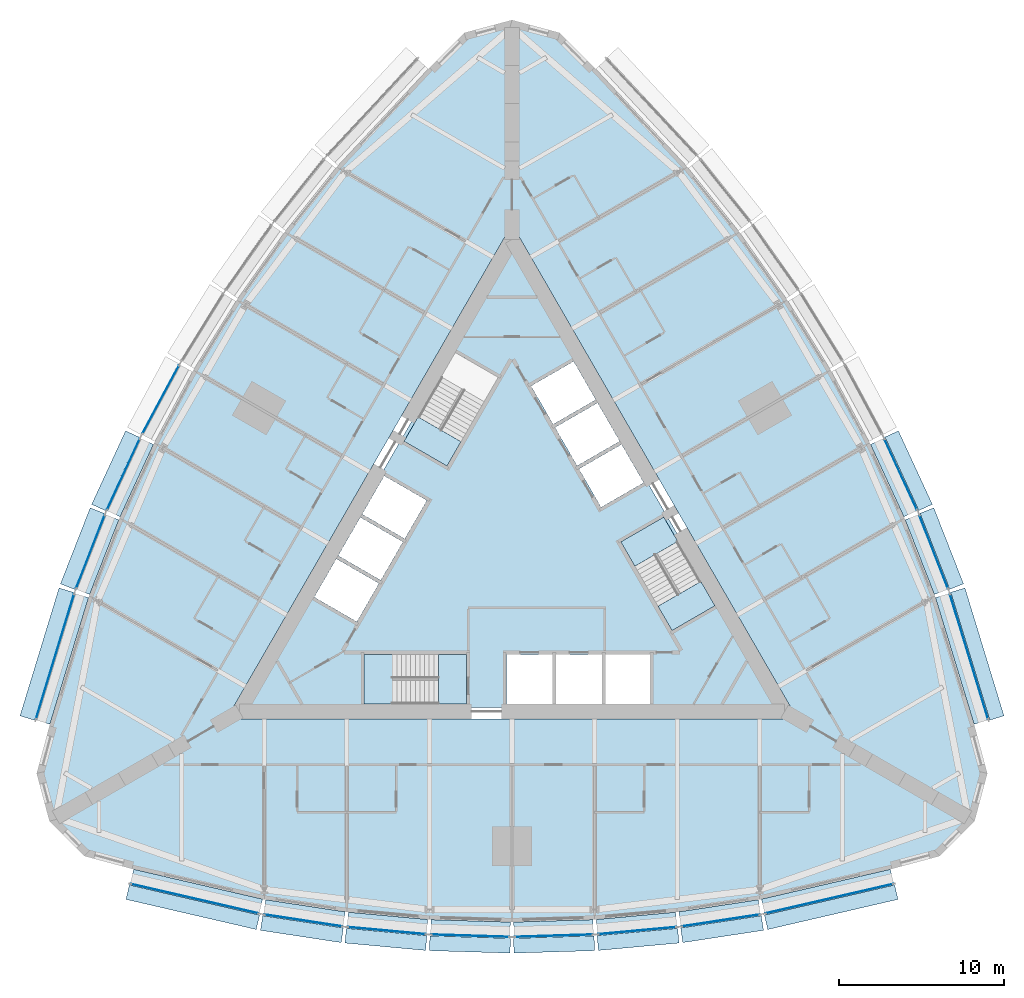
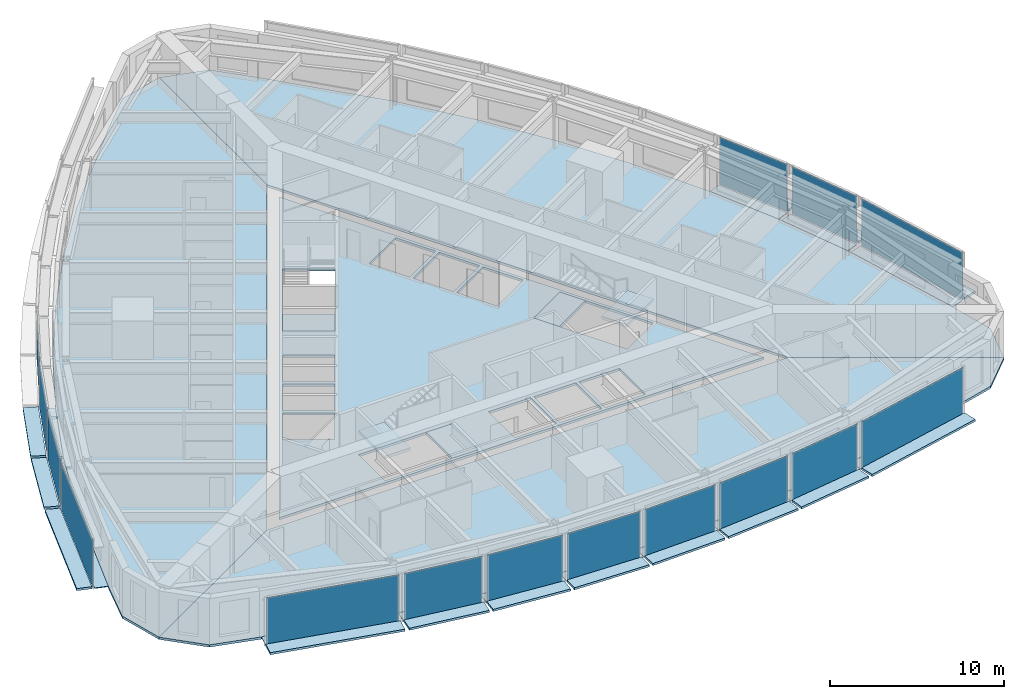
# One storey, part 6 of 14: 43 plates, 9 slabs, 18 elements without a shape of their own.
"""IFC4 building model written with IfcOpenShell, lengths in metres."""

from ifc_helpers import new_model, si_unit, direction, frame, origin, origin_2d, place, context, subcontext, project, spatial, polyline, rectangle, outline, extrude, material, layer, layer_set, type_object, element, aggregate, save


model = new_model("IFC4")

# Units and contexts
model_context = context("Model", 3, precision=1e-05, world=origin(), true_north=direction((0.0, 1.0)))
body_context = subcontext(model_context, "Body", "Model", "MODEL_VIEW")
ifc_project = project(units=[si_unit("LENGTHUNIT", "METRE"), si_unit("AREAUNIT", "SQUARE_METRE"), si_unit("VOLUMEUNIT", "CUBIC_METRE"), si_unit("PLANEANGLEUNIT", "RADIAN"), si_unit("MASSUNIT", "GRAM", prefix="KILO")], contexts=[model_context])

# Site, building, storey
site_placement = place(None, origin())
site = spatial("IfcSite", under=ifc_project, at=site_placement, CompositionType="ELEMENT")
building_placement = place(site_placement, origin())
building = spatial("IfcBuilding", under=site, at=building_placement, Name="Trikona Tower", CompositionType="ELEMENT")
storey_placement = place(building_placement, frame((0.0, 0.0, 48.89990234375)))
storey = spatial("IfcBuildingStorey", under=building, at=storey_placement, Name="L11", CompositionType="ELEMENT", Elevation=48.89990234375)

# Plates
ifc_material_1 = material(Name="Aluminium bar grating", Category="aluminium")
ifc_layer_1 = layer(ifc_material_1, 0.050048828125)
ifc_layer_set_1 = layer_set([ifc_layer_1], Name="Cavity catwalk grating")
plate_type_1 = type_object("IfcPlateType", Name="Cavity catwalk grating", PredefinedType="USERDEFINED", material=ifc_layer_set_1)
plate_1_placement = place(storey_placement, frame((-19.09228515625, -20.377197265625, -0.0498046875), z_axis=(0.0, 0.0, 1.0), x_axis=(0.974277718622, -0.225350675607, 0.0)))
element("IfcPlate", 1, at=plate_1_placement, inside=storey, type_object=plate_type_1, Name="Cavity catwalk L11-00", ObjectType="CATWALK GRATING", PredefinedType="USERDEFINED", context=body_context, shape_type="SweptSolid", body=[
    extrude(rectangle(XDim=8.01123046875, YDim=0.820068359375, at=origin_2d()), origin(), (0.0, 0.0, 1.0), 0.050048828125),
])
plate_2_placement = place(storey_placement, frame((-12.561767578125, -21.688720703125, -0.0498046875), z_axis=(0.0, 0.0, 1.0), x_axis=(0.988617896768, -0.150448177754, 0.0)))
element("IfcPlate", 2, at=plate_2_placement, inside=storey, type_object=plate_type_1, Name="Cavity catwalk L11-01", ObjectType="CATWALK GRATING", PredefinedType="USERDEFINED", context=body_context, shape_type="SweptSolid", body=[
    extrude(rectangle(XDim=4.857666015625, YDim=0.820068359375, at=origin_2d()), origin(), (0.0, 0.0, 1.0), 0.050048828125),
])
plate_3_placement = place(storey_placement, frame((-7.537353515625, -22.300537109375, -0.0498046875), z_axis=(0.0, 0.0, 1.0), x_axis=(0.995858098326, -0.090921108655, 0.0)))
element("IfcPlate", 3, at=plate_3_placement, inside=storey, type_object=plate_type_1, Name="Cavity catwalk L11-02", ObjectType="CATWALK GRATING", PredefinedType="USERDEFINED", context=body_context, shape_type="SweptSolid", body=[
    extrude(rectangle(XDim=4.82080078125, YDim=0.820068359375, at=origin_2d()), origin(), (0.0, 0.0, 1.0), 0.050048828125),
])
for number, where, z_axis, x_axis, name in (
    (4, (-2.512451171875, -22.606201171875, -0.0498046875), (0.0, 0.0, 1.0), (0.999537048889, -0.030425119525, 0.0), "Cavity catwalk L11-03"),
    (5, (2.512451171875, -22.606201171875, -0.0498046875), (0.0, 0.0, 1.0), (0.999537048889, 0.030425119525, 0.0), "Cavity catwalk L11-04"),
):
    element("IfcPlate", number, at=place(storey_placement, frame(where, z_axis=z_axis, x_axis=x_axis)), inside=storey, type_object=plate_type_1, Name=name, ObjectType="CATWALK GRATING", PredefinedType="USERDEFINED", context=body_context, shape_type="SweptSolid", body=[
        extrude(rectangle(XDim=4.80224609375, YDim=0.820068359375, at=origin_2d()), origin(), (0.0, 0.0, 1.0), 0.050048828125),
    ])
plate_4_placement = place(storey_placement, frame((7.537353515625, -22.300537109375, -0.0498046875), z_axis=(0.0, 0.0, 1.0), x_axis=(0.995858098326, 0.090921108655, 0.0)))
element("IfcPlate", 6, at=plate_4_placement, inside=storey, type_object=plate_type_1, Name="Cavity catwalk L11-05", ObjectType="CATWALK GRATING", PredefinedType="USERDEFINED", context=body_context, shape_type="SweptSolid", body=[
    extrude(rectangle(XDim=4.82080078125, YDim=0.820068359375, at=origin_2d()), origin(), (0.0, 0.0, 1.0), 0.050048828125),
])
plate_5_placement = place(storey_placement, frame((12.561767578125, -21.688720703125, -0.0498046875), z_axis=(0.0, 0.0, 1.0), x_axis=(0.988617896768, 0.150448177754, 0.0)))
element("IfcPlate", 7, at=plate_5_placement, inside=storey, type_object=plate_type_1, Name="Cavity catwalk L11-06", ObjectType="CATWALK GRATING", PredefinedType="USERDEFINED", context=body_context, shape_type="SweptSolid", body=[
    extrude(rectangle(XDim=4.857666015625, YDim=0.820068359375, at=origin_2d()), origin(), (0.0, 0.0, 1.0), 0.050048828125),
])
for number, where, z_axis, x_axis, name in (
    (8, (19.09228515625, -20.377197265625, -0.0498046875), (0.0, 0.0, 1.0), (0.974277718622, 0.225350675607, 0.0), "Cavity catwalk L11-07"),
    (9, (27.193359375, -6.345947265625, -0.0498046875), (0.0, 0.0, 1.0), (-0.291979449475, 0.956424592471, 0.0), "Cavity catwalk L11-12"),
):
    element("IfcPlate", number, at=place(storey_placement, frame(where, z_axis=z_axis, x_axis=x_axis)), inside=storey, type_object=plate_type_1, Name=name, ObjectType="CATWALK GRATING", PredefinedType="USERDEFINED", context=body_context, shape_type="SweptSolid", body=[
        extrude(rectangle(XDim=8.01123046875, YDim=0.820068359375, at=origin_2d()), origin(), (0.0, 0.0, 1.0), 0.050048828125),
    ])
plate_6_placement = place(storey_placement, frame((25.06396484375, -0.034423828125, -0.0498046875), z_axis=(0.0, 0.0, 1.0), x_axis=(-0.364008876551, 0.931395478726, 0.0)))
element("IfcPlate", 10, at=plate_6_placement, inside=storey, type_object=plate_type_1, Name="Cavity catwalk L11-13", ObjectType="CATWALK GRATING", PredefinedType="USERDEFINED", context=body_context, shape_type="SweptSolid", body=[
    extrude(rectangle(XDim=4.857666015625, YDim=0.820068359375, at=origin_2d()), origin(), (0.0, 0.0, 1.0), 0.050048828125),
])
for number, where, z_axis, x_axis, name in (
    (11, (23.081298828125, 4.622802734375, -0.0498046875), (0.0, 0.0, 1.0), (-0.41919381307, 0.907896771161, 0.0), "Cavity catwalk L11-14"),
    (12, (-23.081298828125, 4.622802734375, -0.0498046875), (0.0, 0.0, 1.0), (-0.41919381307, -0.907896771161, 0.0), "Cavity catwalk L11-29"),
):
    element("IfcPlate", number, at=place(storey_placement, frame(where, z_axis=z_axis, x_axis=x_axis)), inside=storey, type_object=plate_type_1, Name=name, ObjectType="CATWALK GRATING", PredefinedType="USERDEFINED", context=body_context, shape_type="SweptSolid", body=[
        extrude(rectangle(XDim=4.82080078125, YDim=0.820068359375, at=origin_2d()), origin(), (0.0, 0.0, 1.0), 0.050048828125),
    ])
plate_7_placement = place(storey_placement, frame((-25.06396484375, -0.034423828125, -0.0498046875), z_axis=(0.0, 0.0, 1.0), x_axis=(-0.364008876551, -0.931395478726, 0.0)))
element("IfcPlate", 13, at=plate_7_placement, inside=storey, type_object=plate_type_1, Name="Cavity catwalk L11-30", ObjectType="CATWALK GRATING", PredefinedType="USERDEFINED", context=body_context, shape_type="SweptSolid", body=[
    extrude(rectangle(XDim=4.857666015625, YDim=0.820068359375, at=origin_2d()), origin(), (0.0, 0.0, 1.0), 0.050048828125),
])
plate_8_placement = place(storey_placement, frame((-27.193359375, -6.345947265625, -0.0498046875), z_axis=(0.0, 0.0, 1.0), x_axis=(-0.291979449475, -0.956424592471, 0.0)))
element("IfcPlate", 14, at=plate_8_placement, inside=storey, type_object=plate_type_1, Name="Cavity catwalk L11-31", ObjectType="CATWALK GRATING", PredefinedType="USERDEFINED", context=body_context, shape_type="SweptSolid", body=[
    extrude(rectangle(XDim=8.01123046875, YDim=0.820068359375, at=origin_2d()), origin(), (0.0, 0.0, 1.0), 0.050048828125),
])

# Slabs
ifc_material_2 = material(Name="Concrete f'c 5000 psi lightweight on composite steel deck", Category="concrete")
ifc_layer_2 = layer(ifc_material_2, 0.1650390625)
ifc_layer_set_2 = layer_set([ifc_layer_2], Name="Composite floor slab 165")
slab_type_1 = type_object("IfcSlabType", Name="Composite floor slab 165", PredefinedType="FLOOR", material=ifc_layer_set_2)
slab_1_placement = place(storey_placement, frame((0.0, 0.0, -0.164794921875)))
element("IfcSlab", 15, at=slab_1_placement, inside=storey, type_object=slab_type_1, Name="Floor slab L11 core", PredefinedType="FLOOR", context=body_context, shape_type="SweptSolid", body=[
    extrude(outline(polyline([(-16.06689453125, -9.2763671875), (16.06689453125, -9.2763671875), (0.0, 18.552490234375), (-16.06689453125, -9.2763671875)]), holes=[polyline([(12.285400390625, -3.126220703125), (9.185302734375, 2.2431640625), (6.587158203125, 0.7431640625), (9.687255859375, -4.626220703125), (12.285400390625, -3.126220703125)]), polyline([(8.340087890625, -9.06640625), (8.340087890625, -6.086181640625), (5.659912109375, -6.086181640625), (5.659912109375, -9.06640625), (8.340087890625, -9.06640625)]), polyline([(5.390869140625, 2.835205078125), (7.9716796875, 4.3251953125), (6.631591796875, 6.646240234375), (4.05078125, 5.15625), (5.390869140625, 2.835205078125)]), polyline([(2.600830078125, 7.667724609375), (3.94091796875, 5.3466796875), (6.521484375, 6.8369140625), (5.181640625, 9.15771484375), (2.600830078125, 7.667724609375)]), polyline([(5.43994140625, -6.086181640625), (2.659912109375, -6.086181640625), (2.659912109375, -9.06640625), (5.43994140625, -9.06640625), (5.43994140625, -6.086181640625)]), polyline([(3.731689453125, 11.669189453125), (1.15087890625, 10.17919921875), (2.490966796875, 7.858154296875), (5.071533203125, 9.34814453125), (3.731689453125, 11.669189453125)]), polyline([(-0.340087890625, -6.086181640625), (-0.340087890625, -9.06640625), (2.43994140625, -9.06640625), (2.43994140625, -6.086181640625), (-0.340087890625, -6.086181640625)]), polyline([(-3.435302734375, 12.202392578125), (-6.535400390625, 6.8330078125), (-3.937255859375, 5.3330078125), (-0.837158203125, 10.702392578125), (-3.435302734375, 12.202392578125)]), polyline([(-8.949951171875, -9.076416015625), (-2.75, -9.076416015625), (-2.75, -6.076416015625), (-8.949951171875, -6.076416015625), (-8.949951171875, -9.076416015625)]), polyline([(-5.15087890625, 3.2509765625), (-7.731689453125, 4.740966796875), (-9.071533203125, 2.419921875), (-6.490966796875, 0.929931640625), (-5.15087890625, 3.2509765625)]), polyline([(-7.94091796875, -1.581298828125), (-6.600830078125, 0.739501953125), (-9.181640625, 2.2294921875), (-10.521484375, -0.09130859375), (-7.94091796875, -1.581298828125)]), polyline([(-11.9716796875, -2.602783203125), (-9.390869140625, -4.093017578125), (-8.05078125, -1.77197265625), (-10.631591796875, -0.281982421875), (-11.9716796875, -2.602783203125)])]), origin(), (0.0, 0.0, 1.0), 0.164794921875),
])
slab_2_placement = place(storey_placement, frame((0.0, 0.0, -0.164794921875)))
element("IfcSlab", 16, at=slab_2_placement, inside=storey, type_object=slab_type_1, Name="Floor slab L11 south", PredefinedType="FLOOR", context=body_context, shape_type="SweptSolid", body=[
    extrude(outline(polyline([(25.88671875, -18.279052734375), (28.0, -16.165771484375), (17.279296875, -9.976318359375), (-17.279296875, -9.976318359375), (-28.0, -16.165771484375), (-25.88671875, -18.279052734375), (-23.0, -19.052490234375), (-15.0, -20.903076171875), (-10.0, -21.663818359375), (-5.0, -22.120361328125), (0.0, -22.272705078125), (5.0, -22.120361328125), (10.0, -21.663818359375), (15.0, -20.903076171875), (23.0, -19.052490234375), (25.88671875, -18.279052734375)])), origin(), (0.0, 0.0, 1.0), 0.164794921875),
])
slab_3_placement = place(storey_placement, frame((0.0, 0.0, -0.164794921875)))
element("IfcSlab", 17, at=slab_3_placement, inside=storey, type_object=slab_type_1, Name="Floor slab L11 north-east", PredefinedType="FLOOR", context=body_context, shape_type="SweptSolid", body=[
    extrude(outline(polyline([(2.88671875, 31.55810546875), (0.0, 32.33154296875), (0.0, 19.95263671875), (17.279296875, -9.976318359375), (28.0, -16.165771484375), (28.7734375, -13.279052734375), (28.0, -10.392333984375), (25.6025390625, -2.538818359375), (23.761474609375, 2.171630859375), (21.65673828125, 6.72998046875), (19.28857421875, 11.13623046875), (16.65673828125, 15.390380859375), (13.761474609375, 19.4921875), (10.6025390625, 23.44189453125), (5.0, 29.44482421875), (2.88671875, 31.55810546875)])), origin(), (0.0, 0.0, 1.0), 0.164794921875),
])
slab_4_placement = place(storey_placement, frame((0.0, 0.0, -0.164794921875)))
element("IfcSlab", 18, at=slab_4_placement, inside=storey, type_object=slab_type_1, Name="Floor slab L11 north-west", PredefinedType="FLOOR", context=body_context, shape_type="SweptSolid", body=[
    extrude(outline(polyline([(0.0, 19.95263671875), (0.0, 32.33154296875), (-2.88671875, 31.55810546875), (-5.0, 29.44482421875), (-10.6025390625, 23.44189453125), (-13.761474609375, 19.4921875), (-16.65673828125, 15.390380859375), (-19.28857421875, 11.13623046875), (-21.65673828125, 6.72998046875), (-23.761474609375, 2.171630859375), (-25.6025390625, -2.538818359375), (-28.0, -10.392333984375), (-28.7734375, -13.279052734375), (-28.0, -16.165771484375), (-17.279296875, -9.976318359375), (0.0, 19.95263671875)])), origin(), (0.0, 0.0, 1.0), 0.164794921875),
])

# Curtain wall, plate
ifc_material_3 = material(Name="Aluminium curtain wall system", Category="aluminium")
curtain_wall_type = type_object("IfcCurtainWallType", Name="Curtain wall DS1", PredefinedType="NOTDEFINED", material=ifc_material_3)
curtain_wall_1_placement = place(storey_placement, origin())
curtain_wall_1 = element("IfcCurtainWall", 19, at=curtain_wall_1_placement, inside=storey, type_object=curtain_wall_type, Name="Curtain wall DS1 L11", PredefinedType="NOTDEFINED")
ifc_material_4 = material(Name="Laminated clear glass", Category="glass")
ifc_layer_3 = layer(ifc_material_4, 0.028076171875)
ifc_layer_set_3 = layer_set([ifc_layer_3], Name="Glass panel DS1")
plate_type_2 = type_object("IfcPlateType", Name="Glass panel DS1", PredefinedType="CURTAIN_PANEL", material=ifc_layer_set_3)
plate_9_placement = place(storey_placement, frame((-19.202880859375, -20.854736328125, 0.0), z_axis=(0.0, 0.0, 1.0), x_axis=(0.974279427173, -0.225343288756, 0.0)))
plate_9 = element("IfcPlate", 20, at=plate_9_placement, type_object=plate_type_2, Name="CW-DS1 panel 1.1", PredefinedType="CURTAIN_PANEL", context=body_context, shape_type="SweptSolid", body=[
    extrude(rectangle(XDim=7.93115234375, YDim=0.028076171875, at=origin_2d()), origin(), (0.0, 0.0, 1.0), 3.320068359375),
])
aggregate(curtain_wall_1, [plate_9])

curtain_wall_2_placement = place(storey_placement, origin())
curtain_wall_2 = element("IfcCurtainWall", 21, at=curtain_wall_2_placement, inside=storey, type_object=curtain_wall_type, Name="Curtain wall DS1 L11", PredefinedType="NOTDEFINED")
plate_10_placement = place(storey_placement, frame((-12.635498046875, -22.173095703125, 0.0), z_axis=(0.0, 0.0, 1.0), x_axis=(0.988619492156, -0.150437693845, 0.0)))
plate_10 = element("IfcPlate", 22, at=plate_10_placement, type_object=plate_type_2, Name="CW-DS1 panel 1.1", PredefinedType="CURTAIN_PANEL", context=body_context, shape_type="SweptSolid", body=[
    extrude(rectangle(XDim=4.777587890625, YDim=0.028076171875, at=origin_2d()), origin(), (0.0, 0.0, 1.0), 3.320068359375),
])
aggregate(curtain_wall_2, [plate_10])

curtain_wall_3_placement = place(storey_placement, origin())
curtain_wall_3 = element("IfcCurtainWall", 23, at=curtain_wall_3_placement, inside=storey, type_object=curtain_wall_type, Name="Curtain wall DS1 L11", PredefinedType="NOTDEFINED")
plate_11_placement = place(storey_placement, frame((-7.581787109375, -22.788330078125, 0.0), z_axis=(0.0, 0.0, 1.0), x_axis=(0.995857840485, -0.090923932737, 0.0)))
plate_11 = element("IfcPlate", 24, at=plate_11_placement, type_object=plate_type_2, Name="CW-DS1 panel 1.1", PredefinedType="CURTAIN_PANEL", context=body_context, shape_type="SweptSolid", body=[
    extrude(rectangle(XDim=4.74072265625, YDim=0.028076171875, at=origin_2d()), origin(), (0.0, 0.0, 1.0), 3.320068359375),
])
aggregate(curtain_wall_3, [plate_11])

curtain_wall_4_placement = place(storey_placement, origin())
curtain_wall_4 = element("IfcCurtainWall", 25, at=curtain_wall_4_placement, inside=storey, type_object=curtain_wall_type, Name="Curtain wall DS1 L11", PredefinedType="NOTDEFINED")
plate_12_placement = place(storey_placement, frame((-2.52734375, -23.09619140625, 0.0), z_axis=(0.0, 0.0, 1.0), x_axis=(0.999536695965, -0.030436711692, 0.0)))
plate_12 = element("IfcPlate", 26, at=plate_12_placement, type_object=plate_type_2, Name="CW-DS1 panel 1.1", PredefinedType="CURTAIN_PANEL", context=body_context, shape_type="SweptSolid", body=[
    extrude(rectangle(XDim=4.72216796875, YDim=0.028076171875, at=origin_2d()), origin(), (0.0, 0.0, 1.0), 3.320068359375),
])
aggregate(curtain_wall_4, [plate_12])

curtain_wall_5_placement = place(storey_placement, origin())
curtain_wall_5 = element("IfcCurtainWall", 27, at=curtain_wall_5_placement, inside=storey, type_object=curtain_wall_type, Name="Curtain wall DS1 L11", PredefinedType="NOTDEFINED")
plate_13_placement = place(storey_placement, frame((2.52734375, -23.09619140625, 0.0), z_axis=(0.0, 0.0, 1.0), x_axis=(0.999536695965, 0.030436711692, 0.0)))
plate_13 = element("IfcPlate", 28, at=plate_13_placement, type_object=plate_type_2, Name="CW-DS1 panel 1.1", PredefinedType="CURTAIN_PANEL", context=body_context, shape_type="SweptSolid", body=[
    extrude(rectangle(XDim=4.72216796875, YDim=0.028076171875, at=origin_2d()), origin(), (0.0, 0.0, 1.0), 3.320068359375),
])
aggregate(curtain_wall_5, [plate_13])

curtain_wall_6_placement = place(storey_placement, origin())
curtain_wall_6 = element("IfcCurtainWall", 29, at=curtain_wall_6_placement, inside=storey, type_object=curtain_wall_type, Name="Curtain wall DS1 L11", PredefinedType="NOTDEFINED")
plate_14_placement = place(storey_placement, frame((7.581787109375, -22.788330078125, 0.0), z_axis=(0.0, 0.0, 1.0), x_axis=(0.995857840485, 0.090923932737, 0.0)))
plate_14 = element("IfcPlate", 30, at=plate_14_placement, type_object=plate_type_2, Name="CW-DS1 panel 1.1", PredefinedType="CURTAIN_PANEL", context=body_context, shape_type="SweptSolid", body=[
    extrude(rectangle(XDim=4.74072265625, YDim=0.028076171875, at=origin_2d()), origin(), (0.0, 0.0, 1.0), 3.320068359375),
])
aggregate(curtain_wall_6, [plate_14])

curtain_wall_7_placement = place(storey_placement, origin())
curtain_wall_7 = element("IfcCurtainWall", 31, at=curtain_wall_7_placement, inside=storey, type_object=curtain_wall_type, Name="Curtain wall DS1 L11", PredefinedType="NOTDEFINED")
plate_15_placement = place(storey_placement, frame((12.635498046875, -22.173095703125, 0.0), z_axis=(0.0, 0.0, 1.0), x_axis=(0.988619492156, 0.150437693845, 0.0)))
plate_15 = element("IfcPlate", 32, at=plate_15_placement, type_object=plate_type_2, Name="CW-DS1 panel 1.1", PredefinedType="CURTAIN_PANEL", context=body_context, shape_type="SweptSolid", body=[
    extrude(rectangle(XDim=4.777587890625, YDim=0.028076171875, at=origin_2d()), origin(), (0.0, 0.0, 1.0), 3.320068359375),
])
aggregate(curtain_wall_7, [plate_15])

curtain_wall_8_placement = place(storey_placement, origin())
curtain_wall_8 = element("IfcCurtainWall", 33, at=curtain_wall_8_placement, inside=storey, type_object=curtain_wall_type, Name="Curtain wall DS1 L11", PredefinedType="NOTDEFINED")
plate_16_placement = place(storey_placement, frame((19.202880859375, -20.854736328125, 0.0), z_axis=(0.0, 0.0, 1.0), x_axis=(0.974279427173, 0.225343288756, 0.0)))
plate_16 = element("IfcPlate", 34, at=plate_16_placement, type_object=plate_type_2, Name="CW-DS1 panel 1.1", PredefinedType="CURTAIN_PANEL", context=body_context, shape_type="SweptSolid", body=[
    extrude(rectangle(XDim=7.93115234375, YDim=0.028076171875, at=origin_2d()), origin(), (0.0, 0.0, 1.0), 3.320068359375),
])
aggregate(curtain_wall_8, [plate_16])

curtain_wall_9_placement = place(storey_placement, origin())
curtain_wall_9 = element("IfcCurtainWall", 35, at=curtain_wall_9_placement, inside=storey, type_object=curtain_wall_type, Name="Curtain wall DS1 L11", PredefinedType="NOTDEFINED")
plate_17_placement = place(storey_placement, frame((27.662109375, -6.202880859375, 0.0), z_axis=(0.0, 0.0, 1.0), x_axis=(-0.291984287868, 0.956423115383, 0.0)))
plate_17 = element("IfcPlate", 36, at=plate_17_placement, type_object=plate_type_2, Name="CW-DS1 panel 1.1", PredefinedType="CURTAIN_PANEL", context=body_context, shape_type="SweptSolid", body=[
    extrude(rectangle(XDim=7.93115234375, YDim=0.028076171875, at=origin_2d()), origin(), (0.0, 0.0, 1.0), 3.320068359375),
])
aggregate(curtain_wall_9, [plate_17])

curtain_wall_10_placement = place(storey_placement, origin())
curtain_wall_10 = element("IfcCurtainWall", 37, at=curtain_wall_10_placement, inside=storey, type_object=curtain_wall_type, Name="Curtain wall DS1 L11", PredefinedType="NOTDEFINED")
plate_18_placement = place(storey_placement, frame((25.520263671875, 0.14404296875, 0.0), z_axis=(0.0, 0.0, 1.0), x_axis=(-0.36400756977, 0.931395989443, 0.0)))
plate_18 = element("IfcPlate", 38, at=plate_18_placement, type_object=plate_type_2, Name="CW-DS1 panel 1.1", PredefinedType="CURTAIN_PANEL", context=body_context, shape_type="SweptSolid", body=[
    extrude(rectangle(XDim=4.777587890625, YDim=0.028076171875, at=origin_2d()), origin(), (0.0, 0.0, 1.0), 3.320068359375),
])
aggregate(curtain_wall_10, [plate_18])

curtain_wall_11_placement = place(storey_placement, origin())
curtain_wall_11 = element("IfcCurtainWall", 39, at=curtain_wall_11_placement, inside=storey, type_object=curtain_wall_type, Name="Curtain wall DS1 L11", PredefinedType="NOTDEFINED")
plate_19_placement = place(storey_placement, frame((23.5263671875, 4.828125, 0.0), z_axis=(0.0, 0.0, 1.0), x_axis=(-0.419190155352, 0.907898459992, 0.0)))
plate_19 = element("IfcPlate", 40, at=plate_19_placement, type_object=plate_type_2, Name="CW-DS1 panel 1.1", PredefinedType="CURTAIN_PANEL", context=body_context, shape_type="SweptSolid", body=[
    extrude(rectangle(XDim=4.740966796875, YDim=0.028076171875, at=origin_2d()), origin(), (0.0, 0.0, 1.0), 3.320068359375),
])
aggregate(curtain_wall_11, [plate_19])

curtain_wall_12_placement = place(storey_placement, origin())
curtain_wall_12 = element("IfcCurtainWall", 41, at=curtain_wall_12_placement, inside=storey, type_object=curtain_wall_type, Name="Curtain wall DS1 L11", PredefinedType="NOTDEFINED")
plate_20_placement = place(storey_placement, frame((-21.265380859375, 9.359130859375, 0.0), z_axis=(0.0, 0.0, 1.0), x_axis=(-0.473408350896, -0.880843080975, 0.0)))
plate_20 = element("IfcPlate", 42, at=plate_20_placement, type_object=plate_type_2, Name="CW-DS1 panel 1.1", PredefinedType="CURTAIN_PANEL", context=body_context, shape_type="SweptSolid", body=[
    extrude(rectangle(XDim=4.72216796875, YDim=0.028076171875, at=origin_2d()), origin(), (0.0, 0.0, 1.0), 3.320068359375),
])
aggregate(curtain_wall_12, [plate_20])

curtain_wall_13_placement = place(storey_placement, origin())
curtain_wall_13 = element("IfcCurtainWall", 43, at=curtain_wall_13_placement, inside=storey, type_object=curtain_wall_type, Name="Curtain wall DS1 L11", PredefinedType="NOTDEFINED")
plate_21_placement = place(storey_placement, frame((-23.5263671875, 4.828125, 0.0), z_axis=(0.0, 0.0, 1.0), x_axis=(-0.419190155352, -0.907898459992, 0.0)))
plate_21 = element("IfcPlate", 44, at=plate_21_placement, type_object=plate_type_2, Name="CW-DS1 panel 1.1", PredefinedType="CURTAIN_PANEL", context=body_context, shape_type="SweptSolid", body=[
    extrude(rectangle(XDim=4.740966796875, YDim=0.028076171875, at=origin_2d()), origin(), (0.0, 0.0, 1.0), 3.320068359375),
])
aggregate(curtain_wall_13, [plate_21])

curtain_wall_14_placement = place(storey_placement, origin())
curtain_wall_14 = element("IfcCurtainWall", 45, at=curtain_wall_14_placement, inside=storey, type_object=curtain_wall_type, Name="Curtain wall DS1 L11", PredefinedType="NOTDEFINED")
plate_22_placement = place(storey_placement, frame((-25.520263671875, 0.14404296875, 0.0), z_axis=(0.0, 0.0, 1.0), x_axis=(-0.36400756977, -0.931395989443, 0.0)))
plate_22 = element("IfcPlate", 46, at=plate_22_placement, type_object=plate_type_2, Name="CW-DS1 panel 1.1", PredefinedType="CURTAIN_PANEL", context=body_context, shape_type="SweptSolid", body=[
    extrude(rectangle(XDim=4.777587890625, YDim=0.028076171875, at=origin_2d()), origin(), (0.0, 0.0, 1.0), 3.320068359375),
])
aggregate(curtain_wall_14, [plate_22])

curtain_wall_15_placement = place(storey_placement, origin())
curtain_wall_15 = element("IfcCurtainWall", 47, at=curtain_wall_15_placement, inside=storey, type_object=curtain_wall_type, Name="Curtain wall DS1 L11", PredefinedType="NOTDEFINED")
plate_23_placement = place(storey_placement, frame((-27.662109375, -6.202880859375, 0.0), z_axis=(0.0, 0.0, 1.0), x_axis=(-0.291984287868, -0.956423115383, 0.0)))
plate_23 = element("IfcPlate", 48, at=plate_23_placement, type_object=plate_type_2, Name="CW-DS1 panel 1.1", PredefinedType="CURTAIN_PANEL", context=body_context, shape_type="SweptSolid", body=[
    extrude(rectangle(XDim=7.93115234375, YDim=0.028076171875, at=origin_2d()), origin(), (0.0, 0.0, 1.0), 3.320068359375),
])
aggregate(curtain_wall_15, [plate_23])

# Plates
ifc_material_5 = material(Name="Aluminium plate fin, pale anodised, on stainless steel outriggers", Category="steel")
ifc_layer_4 = layer(ifc_material_5, 0.14990234375)
ifc_layer_set_4 = layer_set([ifc_layer_4], Name="Outer skin fin 900")
plate_type_3 = type_object("IfcPlateType", Name="Outer skin fin 900", PredefinedType="USERDEFINED", material=ifc_layer_set_4)
plate_24_placement = place(storey_placement, frame((-19.322265625, -21.37109375, 0.000244140625), z_axis=(0.0, 0.0, 1.0), x_axis=(0.974277718622, -0.225350675607, 0.0)))
element("IfcPlate", 49, at=plate_24_placement, inside=storey, type_object=plate_type_3, Name="Outer skin fin L11-00", ObjectType="FIN", PredefinedType="USERDEFINED", context=body_context, shape_type="SweptSolid", body=[
    extrude(rectangle(XDim=8.09130859375, YDim=0.89990234375, at=origin_2d()), origin(), (0.0, 0.0, 1.0), 0.14990234375),
])
plate_25_placement = place(storey_placement, frame((-12.715087890625, -22.697265625, 0.000244140625), z_axis=(0.0, 0.0, 1.0), x_axis=(0.988617896768, -0.150448177754, 0.0)))
element("IfcPlate", 50, at=plate_25_placement, inside=storey, type_object=plate_type_3, Name="Outer skin fin L11-01", ObjectType="FIN", PredefinedType="USERDEFINED", context=body_context, shape_type="SweptSolid", body=[
    extrude(rectangle(XDim=4.9375, YDim=0.89990234375, at=origin_2d()), origin(), (0.0, 0.0, 1.0), 0.14990234375),
])
plate_26_placement = place(storey_placement, frame((-7.6298828125, -23.316162109375, 0.000244140625), z_axis=(0.0, 0.0, 1.0), x_axis=(0.995858098326, -0.090921108655, 0.0)))
element("IfcPlate", 51, at=plate_26_placement, inside=storey, type_object=plate_type_3, Name="Outer skin fin L11-02", ObjectType="FIN", PredefinedType="USERDEFINED", context=body_context, shape_type="SweptSolid", body=[
    extrude(rectangle(XDim=4.90087890625, YDim=0.89990234375, at=origin_2d()), origin(), (0.0, 0.0, 1.0), 0.14990234375),
])
for number, where, z_axis, x_axis, name in (
    (52, (-2.54345703125, -23.625732421875, 0.000244140625), (0.0, 0.0, 1.0), (0.999537048889, -0.030425119525, 0.0), "Outer skin fin L11-03"),
    (53, (2.54345703125, -23.625732421875, 0.000244140625), (0.0, 0.0, 1.0), (0.999537048889, 0.030425119525, 0.0), "Outer skin fin L11-04"),
):
    element("IfcPlate", number, at=place(storey_placement, frame(where, z_axis=z_axis, x_axis=x_axis)), inside=storey, type_object=plate_type_3, Name=name, ObjectType="FIN", PredefinedType="USERDEFINED", context=body_context, shape_type="SweptSolid", body=[
        extrude(rectangle(XDim=4.88232421875, YDim=0.89990234375, at=origin_2d()), origin(), (0.0, 0.0, 1.0), 0.14990234375),
    ])
plate_27_placement = place(storey_placement, frame((7.6298828125, -23.316162109375, 0.000244140625), z_axis=(0.0, 0.0, 1.0), x_axis=(0.995858098326, 0.090921108655, 0.0)))
element("IfcPlate", 54, at=plate_27_placement, inside=storey, type_object=plate_type_3, Name="Outer skin fin L11-05", ObjectType="FIN", PredefinedType="USERDEFINED", context=body_context, shape_type="SweptSolid", body=[
    extrude(rectangle(XDim=4.90087890625, YDim=0.89990234375, at=origin_2d()), origin(), (0.0, 0.0, 1.0), 0.14990234375),
])
plate_28_placement = place(storey_placement, frame((12.715087890625, -22.697265625, 0.000244140625), z_axis=(0.0, 0.0, 1.0), x_axis=(0.988617896768, 0.150448177754, 0.0)))
element("IfcPlate", 55, at=plate_28_placement, inside=storey, type_object=plate_type_3, Name="Outer skin fin L11-06", ObjectType="FIN", PredefinedType="USERDEFINED", context=body_context, shape_type="SweptSolid", body=[
    extrude(rectangle(XDim=4.9375, YDim=0.89990234375, at=origin_2d()), origin(), (0.0, 0.0, 1.0), 0.14990234375),
])
for number, where, z_axis, x_axis, name in (
    (56, (19.322265625, -21.37109375, 0.000244140625), (0.0, 0.0, 1.0), (0.974277718622, 0.225350675607, 0.0), "Outer skin fin L11-07"),
    (57, (28.1689453125, -6.048095703125, 0.000244140625), (0.0, 0.0, 1.0), (-0.291979449475, 0.956424592471, 0.0), "Outer skin fin L11-12"),
):
    element("IfcPlate", number, at=place(storey_placement, frame(where, z_axis=z_axis, x_axis=x_axis)), inside=storey, type_object=plate_type_3, Name=name, ObjectType="FIN", PredefinedType="USERDEFINED", context=body_context, shape_type="SweptSolid", body=[
        extrude(rectangle(XDim=8.09130859375, YDim=0.89990234375, at=origin_2d()), origin(), (0.0, 0.0, 1.0), 0.14990234375),
    ])
plate_29_placement = place(storey_placement, frame((26.013916015625, 0.3369140625, 0.000244140625), z_axis=(0.0, 0.0, 1.0), x_axis=(-0.364008876551, 0.931395478726, 0.0)))
element("IfcPlate", 58, at=plate_29_placement, inside=storey, type_object=plate_type_3, Name="Outer skin fin L11-13", ObjectType="FIN", PredefinedType="USERDEFINED", context=body_context, shape_type="SweptSolid", body=[
    extrude(rectangle(XDim=4.9375, YDim=0.89990234375, at=origin_2d()), origin(), (0.0, 0.0, 1.0), 0.14990234375),
])
for number, where, z_axis, x_axis, name in (
    (59, (24.00732421875, 5.05029296875, 0.000244140625), (0.0, 0.0, 1.0), (-0.41919381307, 0.907896771161, 0.0), "Outer skin fin L11-14"),
    (60, (-24.00732421875, 5.05029296875, 0.000244140625), (0.0, 0.0, 1.0), (-0.41919381307, -0.907896771161, 0.0), "Outer skin fin L11-29"),
):
    element("IfcPlate", number, at=place(storey_placement, frame(where, z_axis=z_axis, x_axis=x_axis)), inside=storey, type_object=plate_type_3, Name=name, ObjectType="FIN", PredefinedType="USERDEFINED", context=body_context, shape_type="SweptSolid", body=[
        extrude(rectangle(XDim=4.90087890625, YDim=0.89990234375, at=origin_2d()), origin(), (0.0, 0.0, 1.0), 0.14990234375),
    ])
plate_30_placement = place(storey_placement, frame((-26.013916015625, 0.3369140625, 0.000244140625), z_axis=(0.0, 0.0, 1.0), x_axis=(-0.364008876551, -0.931395478726, 0.0)))
element("IfcPlate", 61, at=plate_30_placement, inside=storey, type_object=plate_type_3, Name="Outer skin fin L11-30", ObjectType="FIN", PredefinedType="USERDEFINED", context=body_context, shape_type="SweptSolid", body=[
    extrude(rectangle(XDim=4.9375, YDim=0.89990234375, at=origin_2d()), origin(), (0.0, 0.0, 1.0), 0.14990234375),
])
plate_31_placement = place(storey_placement, frame((-28.1689453125, -6.048095703125, 0.000244140625), z_axis=(0.0, 0.0, 1.0), x_axis=(-0.291979449475, -0.956424592471, 0.0)))
element("IfcPlate", 62, at=plate_31_placement, inside=storey, type_object=plate_type_3, Name="Outer skin fin L11-31", ObjectType="FIN", PredefinedType="USERDEFINED", context=body_context, shape_type="SweptSolid", body=[
    extrude(rectangle(XDim=8.09130859375, YDim=0.89990234375, at=origin_2d()), origin(), (0.0, 0.0, 1.0), 0.14990234375),
])

# Stair, slabs
ifc_material_6 = material(Name="Concrete f'c 5000 psi", Category="concrete")
stair_type = type_object("IfcStairType", Name="Core stair", PredefinedType="HALF_TURN_STAIR", material=ifc_material_6)
stair_1_placement = place(storey_placement, origin())
stair_1 = element("IfcStair", 63, at=stair_1_placement, inside=storey, type_object=stair_type, Name="Stair A L11", PredefinedType="HALF_TURN_STAIR")
ifc_material_7 = material(Name="Concrete f'c 5000 psi", Category="concrete")
ifc_layer_5 = layer(ifc_material_7, 0.199951171875)
ifc_layer_set_5 = layer_set([ifc_layer_5], Name="Stair landing 200")
slab_type_2 = type_object("IfcSlabType", Name="Stair landing 200", PredefinedType="LANDING", material=ifc_layer_set_5)
slab_5_placement = place(storey_placement, frame((0.0, 0.0, -0.199951171875)))
slab_5 = element("IfcSlab", 64, at=slab_5_placement, type_object=slab_type_2, Name="ST-A landing 1", PredefinedType="LANDING", context=body_context, shape_type="SweptSolid", body=[
    extrude(outline(polyline([(-4.452880859375, -6.076416015625), (-2.75, -6.076416015625), (-2.75, -9.076416015625), (-4.452880859375, -9.076416015625), (-4.452880859375, -6.076416015625)])), origin(), (0.0, 0.0, 1.0), 0.199951171875),
])
slab_6_placement = place(storey_placement, frame((0.0, 0.0, 1.5)))
slab_6 = element("IfcSlab", 65, at=slab_6_placement, type_object=slab_type_2, Name="ST-A landing 2", PredefinedType="LANDING", context=body_context, shape_type="SweptSolid", body=[
    extrude(outline(polyline([(-8.949951171875, -6.076416015625), (-7.2470703125, -6.076416015625), (-7.2470703125, -9.076416015625), (-8.949951171875, -9.076416015625), (-8.949951171875, -6.076416015625)])), origin(), (0.0, 0.0, 1.0), 0.2001953125),
])
aggregate(stair_1, [slab_5, slab_6])

stair_2_placement = place(storey_placement, origin())
stair_2 = element("IfcStair", 66, at=stair_2_placement, inside=storey, type_object=stair_type, Name="Stair B L11", PredefinedType="HALF_TURN_STAIR")
slab_7_placement = place(storey_placement, frame((0.0, 0.0, -0.199951171875)))
slab_7 = element("IfcSlab", 67, at=slab_7_placement, type_object=slab_type_2, Name="ST-B landing 1", PredefinedType="LANDING", context=body_context, shape_type="SweptSolid", body=[
    extrude(outline(polyline([(7.438720703125, -0.731689453125), (6.587158203125, 0.7431640625), (9.185302734375, 2.2431640625), (10.036865234375, 0.768310546875), (7.438720703125, -0.731689453125)])), origin(), (0.0, 0.0, 1.0), 0.199951171875),
])
slab_8_placement = place(storey_placement, frame((0.0, 0.0, 1.5)))
slab_8 = element("IfcSlab", 68, at=slab_8_placement, type_object=slab_type_2, Name="ST-B landing 2", PredefinedType="LANDING", context=body_context, shape_type="SweptSolid", body=[
    extrude(outline(polyline([(9.687255859375, -4.626220703125), (8.835693359375, -3.1513671875), (11.433837890625, -1.6513671875), (12.285400390625, -3.126220703125), (9.687255859375, -4.626220703125)])), origin(), (0.0, 0.0, 1.0), 0.2001953125),
])
aggregate(stair_2, [slab_7, slab_8])

# Stair, slab
stair_3_placement = place(storey_placement, origin())
stair_3 = element("IfcStair", 69, at=stair_3_placement, inside=storey, type_object=stair_type, Name="Stair C L11", PredefinedType="HALF_TURN_STAIR")
slab_9_placement = place(storey_placement, frame((0.0, 0.0, -0.199951171875)))
slab_9 = element("IfcSlab", 70, at=slab_9_placement, type_object=slab_type_2, Name="ST-C landing 1", PredefinedType="LANDING", context=body_context, shape_type="SweptSolid", body=[
    extrude(outline(polyline([(-3.085693359375, 6.807861328125), (-3.937255859375, 5.3330078125), (-6.535400390625, 6.8330078125), (-5.683837890625, 8.307861328125), (-3.085693359375, 6.807861328125)])), origin(), (0.0, 0.0, 1.0), 0.199951171875),
])
aggregate(stair_3, [slab_9])

save(model, "model.ifc")
